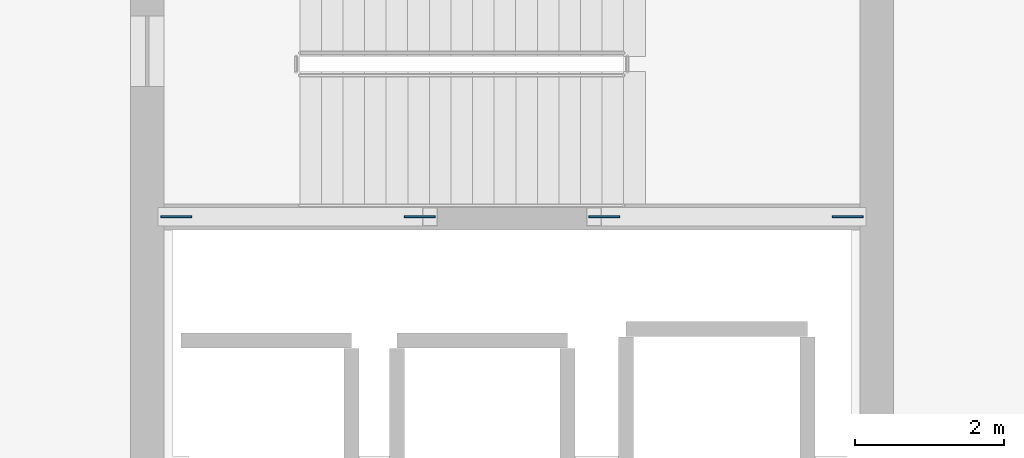
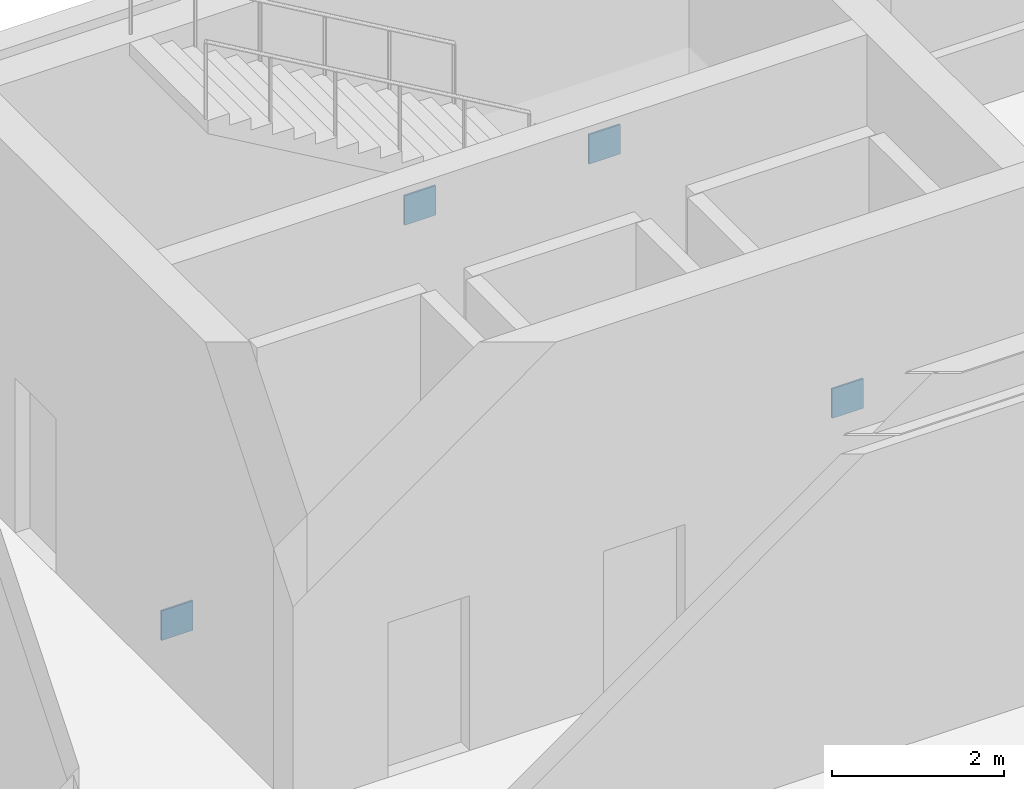
# One storey, part 72 of 98: 4 plates.
"""IFC4 building model written with IfcOpenShell, lengths in metres."""

from ifc_helpers import new_model, si_unit, direction, frame, origin, origin_2d, place, context, subcontext, project, spatial, rectangle, extrude, material, layer, layer_set, type_object, element, save


model = new_model("IFC4")

# Units and contexts
model_context = context("Model", 3, precision=1e-05, world=origin(), true_north=direction((0.0, 1.0)))
body_context = subcontext(model_context, "Body", "Model", "MODEL_VIEW")
ifc_project = project(units=[si_unit("LENGTHUNIT", "METRE"), si_unit("AREAUNIT", "SQUARE_METRE"), si_unit("VOLUMEUNIT", "CUBIC_METRE"), si_unit("PLANEANGLEUNIT", "RADIAN"), si_unit("MASSUNIT", "GRAM", prefix="KILO")], contexts=[model_context])

# Site, building, storey
site_placement = place(None, origin())
site = spatial("IfcSite", under=ifc_project, at=site_placement, CompositionType="ELEMENT")
building_placement = place(site_placement, origin())
building = spatial("IfcBuilding", under=site, at=building_placement, Name="Sollismere Congress Hotel", CompositionType="ELEMENT")
storey_placement = place(building_placement, frame((0.0, 0.0, 5.39990234375)))
storey = spatial("IfcBuildingStorey", under=building, at=storey_placement, Name="L01", CompositionType="ELEMENT", Elevation=5.39990234375)

# Plates
ifc_material = material(Name="Steel ASTM A572 Grade 50", Category="steel")
ifc_layer = layer(ifc_material, 0.02490234375, Name="Steel ASTM A572 Grade 50")
ifc_layer_set = layer_set([ifc_layer], Name="Steel ASTM A572 Grade 50")
plate_type = type_object("IfcPlateType", Name="PL-GS25", PredefinedType="USERDEFINED", material=ifc_layer_set)
for number, where, z_axis, x_axis, name in (
    (1, (94.18994140625, 14.35009765625, -0.02978515625), (0.0, 0.0, 1.0), (1.0, 0.0, 0.0), "PLT-GBF-BF-003-A"),
    (2, (97.4599609375, 14.35009765625, 4.730224609375), (0.0, 0.0, 1.0), (1.0, 0.0, 0.0), "PLT-GBF-BF-003-B"),
    (3, (103.2099609375, 14.35009765625, -0.02978515625), (0.0, 0.0, 1.0), (1.0, 0.0, 0.0), "PLT-GBF-BF-004-A"),
    (4, (99.93994140625, 14.35009765625, 4.730224609375), (0.0, 0.0, 1.0), (1.0, 0.0, 0.0), "PLT-GBF-BF-004-B"),
):
    element("IfcPlate", number, at=place(storey_placement, frame(where, z_axis=z_axis, x_axis=x_axis)), inside=storey, type_object=plate_type, Name=name, ObjectType="GUSSET PLATE", PredefinedType="USERDEFINED", context=body_context, shape_type="SweptSolid", body=[
        extrude(rectangle(XDim=0.419921875, YDim=0.02490234375, at=origin_2d()), origin(), (0.0, 0.0, 1.0), 0.419921875),
    ])

save(model, "model.ifc")
